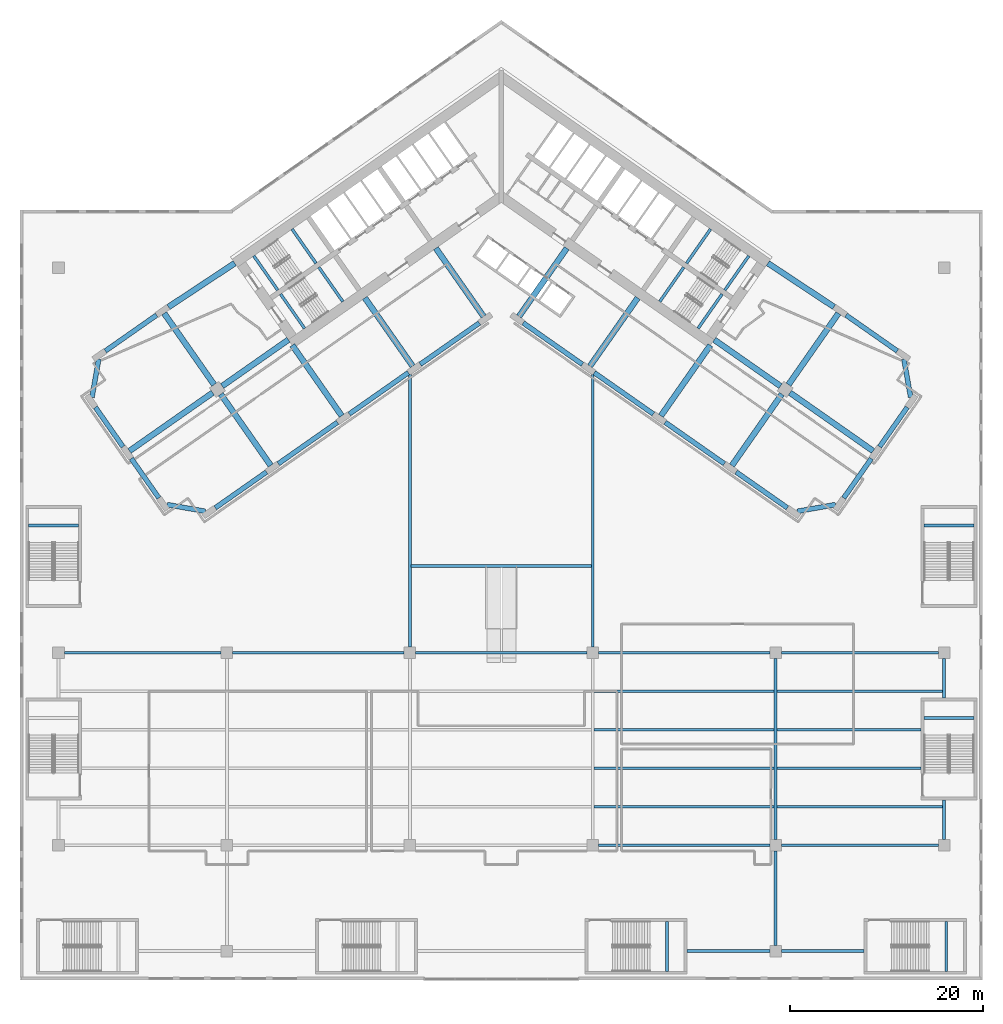
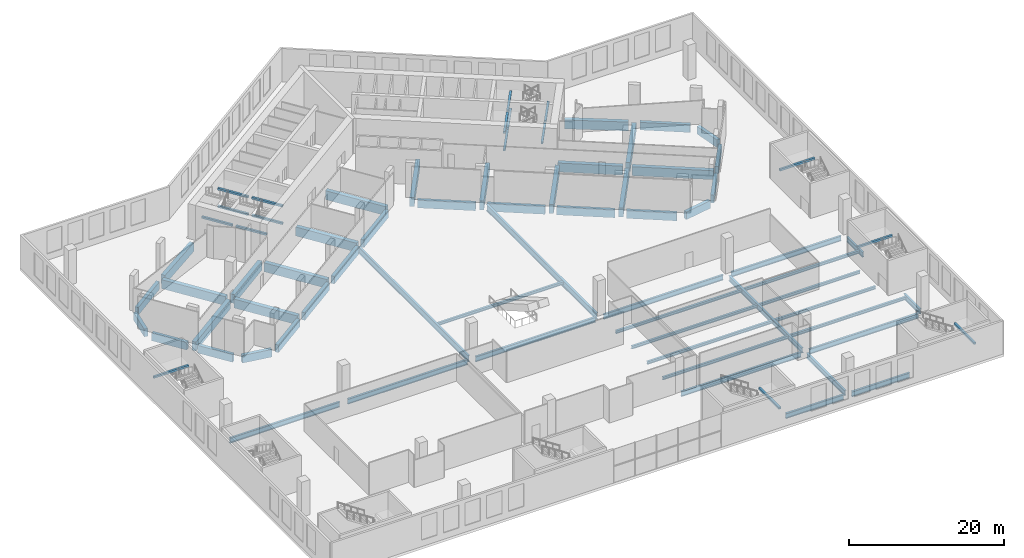
# One storey, part 3 of 26: 75 beams.
"""IFC4 building model written with IfcOpenShell, lengths in metres."""

from ifc_helpers import new_model, si_unit, direction, frame, origin, origin_2d, place, context, subcontext, project, spatial, rectangle, i_section, extrude, material, material_profile, profile_set, type_object, element, save


model = new_model("IFC4")

# Units and contexts
model_context = context("Model", 3, precision=1e-05, world=origin(), true_north=direction((0.0, 1.0)))
body_context = subcontext(model_context, "Body", "Model", "MODEL_VIEW")
ifc_project = project(units=[si_unit("LENGTHUNIT", "METRE"), si_unit("AREAUNIT", "SQUARE_METRE"), si_unit("VOLUMEUNIT", "CUBIC_METRE"), si_unit("PLANEANGLEUNIT", "RADIAN"), si_unit("MASSUNIT", "GRAM", prefix="KILO")], contexts=[model_context])

# Site, building, storey
site_placement = place(None, origin())
site = spatial("IfcSite", under=ifc_project, at=site_placement, CompositionType="ELEMENT")
building_placement = place(site_placement, origin())
building = spatial("IfcBuilding", under=site, at=building_placement, Name="Tel Ilan Convention Tower", CompositionType="ELEMENT")
storey_placement = place(building_placement, frame((0.0, 0.0, 37.5)))
storey = spatial("IfcBuildingStorey", under=building, at=storey_placement, Name="L05", CompositionType="ELEMENT", Elevation=37.5)

# Beams
ifc_material_1 = material(Name="Concrete C40/50", Category="concrete")
ifc_material_profile_1 = material_profile(ifc_material_1, rectangle(XDim=0.5, YDim=1.199951171875, at=origin_2d()), Name="RC 500x1200")
ifc_profile_set_1 = profile_set([ifc_material_profile_1], Name="Concrete C40/50")
beam_type_1 = type_object("IfcBeamType", Name="Beam RC 500x1200 Concrete C40/50", PredefinedType="BEAM", material=ifc_profile_set_1)
beam_1_placement = place(storey_placement, frame((-2.279541015625, -13.742919921875, -1.0), z_axis=(-0.819147803225, -0.57358249317, 0.0), x_axis=(0.57358249317, -0.819147803225, 0.0)))
element("IfcBeam", 1, at=beam_1_placement, inside=storey, type_object=beam_type_1, Name="L05 beam W-W-F1-W-F2", PredefinedType="BEAM", context=body_context, shape_type="SweptSolid", body=[
    extrude(rectangle(XDim=0.5, YDim=1.199951171875, at=origin_2d()), origin(), (0.0, 0.0, 1.0), 7.500244140625),
])
for number, where, z_axis, x_axis, name in (
    (2, (-9.652099609375, -18.905029296875, -1.0), (-0.81915238829, -0.573575945067, 0.0), (0.573575945067, -0.81915238829, 0.0), "L05 beam W-W-F2-W-F3"),
    (3, (-17.0244140625, -24.0673828125, -1.0), (-0.81915238829, -0.573575945067, 0.0), (0.573575945067, -0.81915238829, 0.0), "L05 beam W-W-F3-W-F4"),
):
    element("IfcBeam", number, at=place(storey_placement, frame(where, z_axis=z_axis, x_axis=x_axis)), inside=storey, type_object=beam_type_1, Name=name, PredefinedType="BEAM", context=body_context, shape_type="SweptSolid", body=[
        extrude(rectangle(XDim=0.5, YDim=1.199951171875, at=origin_2d()), origin(), (0.0, 0.0, 1.0), 7.5),
    ])
beam_2_placement = place(storey_placement, frame((-24.396728515625, -29.2294921875, -1.0), z_axis=(-0.819148977158, -0.573580816643, 0.0), x_axis=(0.573580816643, -0.819148977158, 0.0)))
element("IfcBeam", 4, at=beam_2_placement, inside=storey, type_object=beam_type_1, Name="L05 beam W-W-F4-W-FC", PredefinedType="BEAM", context=body_context, shape_type="SweptSolid", body=[
    extrude(rectangle(XDim=0.5, YDim=1.199951171875, at=origin_2d()), origin(), (0.0, 0.0, 1.0), 6.5),
])
beam_3_placement = place(storey_placement, frame((-30.75341796875, -33.314208984375, -1.0), z_axis=(-0.984815252405, 0.173605641124, 0.0), x_axis=(-0.173605641124, -0.984815252405, 0.0)))
element("IfcBeam", 5, at=beam_3_placement, inside=storey, type_object=beam_type_1, Name="L05 beam W-W-FC-W-E1", PredefinedType="BEAM", context=body_context, shape_type="SweptSolid", body=[
    extrude(rectangle(XDim=0.5, YDim=1.199951171875, at=origin_2d()), origin(), (0.0, 0.0, 1.0), 4.030517578125),
])
for number, where, z_axis, x_axis, name in (
    (6, (-35.57080078125, -31.92626953125, -1.0), (-0.573586866468, 0.819144740944, 0.0), (-0.819144740944, -0.573586866468, 0.0), "L05 beam W-W-E1-W-E2"),
    (7, (-39.298828125, -26.601806640625, -1.0), (-0.573586866468, 0.819144740944, 0.0), (-0.819144740944, -0.573586866468, 0.0), "L05 beam W-W-E2-W-E3"),
):
    element("IfcBeam", number, at=place(storey_placement, frame(where, z_axis=z_axis, x_axis=x_axis)), inside=storey, type_object=beam_type_1, Name=name, PredefinedType="BEAM", context=body_context, shape_type="SweptSolid", body=[
        extrude(rectangle(XDim=0.5, YDim=1.199951171875, at=origin_2d()), origin(), (0.0, 0.0, 1.0), 5.0),
    ])
beam_4_placement = place(storey_placement, frame((-42.523193359375, -21.473876953125, -1.0), z_axis=(0.173605641124, 0.984815252405, 0.0), x_axis=(-0.984815252405, 0.173605641124, 0.0)))
element("IfcBeam", 8, at=beam_4_placement, inside=storey, type_object=beam_type_1, Name="L05 beam W-W-E3-W-BC", PredefinedType="BEAM", context=body_context, shape_type="SweptSolid", body=[
    extrude(rectangle(XDim=0.5, YDim=1.199951171875, at=origin_2d()), origin(), (0.0, 0.0, 1.0), 4.030517578125),
])
beam_5_placement = place(storey_placement, frame((-41.135498046875, -16.656494140625, -1.0), z_axis=(0.819178980414, 0.573537965655, 0.0), x_axis=(-0.573537965655, 0.819178980414, 0.0)))
element("IfcBeam", 9, at=beam_5_placement, inside=storey, type_object=beam_type_1, Name="L05 beam W-W-BC-W-B4", PredefinedType="BEAM", context=body_context, shape_type="SweptSolid", body=[
    extrude(rectangle(XDim=0.5, YDim=1.199951171875, at=origin_2d()), origin(), (0.0, 0.0, 1.0), 6.5),
])
beam_6_placement = place(storey_placement, frame((2.279541015625, -13.742919921875, -1.0), z_axis=(0.819147803225, -0.57358249317, 0.0), x_axis=(0.57358249317, 0.819147803225, 0.0)))
element("IfcBeam", 10, at=beam_6_placement, inside=storey, type_object=beam_type_1, Name="L05 beam E-E-F1-E-F2", PredefinedType="BEAM", context=body_context, shape_type="SweptSolid", body=[
    extrude(rectangle(XDim=0.5, YDim=1.199951171875, at=origin_2d()), origin(), (0.0, 0.0, 1.0), 7.500244140625),
])
for number, where, z_axis, x_axis, name in (
    (11, (9.652099609375, -18.905029296875, -1.0), (0.81915238829, -0.573575945067, 0.0), (0.573575945067, 0.81915238829, 0.0), "L05 beam E-E-F2-E-F3"),
    (12, (17.0244140625, -24.0673828125, -1.0), (0.81915238829, -0.573575945067, 0.0), (0.573575945067, 0.81915238829, 0.0), "L05 beam E-E-F3-E-F4"),
):
    element("IfcBeam", number, at=place(storey_placement, frame(where, z_axis=z_axis, x_axis=x_axis)), inside=storey, type_object=beam_type_1, Name=name, PredefinedType="BEAM", context=body_context, shape_type="SweptSolid", body=[
        extrude(rectangle(XDim=0.5, YDim=1.199951171875, at=origin_2d()), origin(), (0.0, 0.0, 1.0), 7.5),
    ])
beam_7_placement = place(storey_placement, frame((24.396728515625, -29.2294921875, -1.0), z_axis=(0.819148977158, -0.573580816643, 0.0), x_axis=(0.573580816643, 0.819148977158, 0.0)))
element("IfcBeam", 13, at=beam_7_placement, inside=storey, type_object=beam_type_1, Name="L05 beam E-E-F4-E-FC", PredefinedType="BEAM", context=body_context, shape_type="SweptSolid", body=[
    extrude(rectangle(XDim=0.5, YDim=1.199951171875, at=origin_2d()), origin(), (0.0, 0.0, 1.0), 6.5),
])
beam_8_placement = place(storey_placement, frame((30.75341796875, -33.314208984375, -1.0), z_axis=(0.984815252405, 0.173605641124, 0.0), x_axis=(-0.173605641124, 0.984815252405, 0.0)))
element("IfcBeam", 14, at=beam_8_placement, inside=storey, type_object=beam_type_1, Name="L05 beam E-E-FC-E-E1", PredefinedType="BEAM", context=body_context, shape_type="SweptSolid", body=[
    extrude(rectangle(XDim=0.5, YDim=1.199951171875, at=origin_2d()), origin(), (0.0, 0.0, 1.0), 4.030517578125),
])
for number, where, z_axis, x_axis, name in (
    (15, (35.57080078125, -31.92626953125, -1.0), (0.573586866468, 0.819144740944, 0.0), (-0.819144740944, 0.573586866468, 0.0), "L05 beam E-E-E1-E-E2"),
    (16, (39.298828125, -26.601806640625, -1.0), (0.573586866468, 0.819144740944, 0.0), (-0.819144740944, 0.573586866468, 0.0), "L05 beam E-E-E2-E-E3"),
):
    element("IfcBeam", number, at=place(storey_placement, frame(where, z_axis=z_axis, x_axis=x_axis)), inside=storey, type_object=beam_type_1, Name=name, PredefinedType="BEAM", context=body_context, shape_type="SweptSolid", body=[
        extrude(rectangle(XDim=0.5, YDim=1.199951171875, at=origin_2d()), origin(), (0.0, 0.0, 1.0), 5.0),
    ])
beam_9_placement = place(storey_placement, frame((42.523193359375, -21.473876953125, -1.0), z_axis=(-0.173605641124, 0.984815252405, 0.0), x_axis=(-0.984815252405, -0.173605641124, 0.0)))
element("IfcBeam", 17, at=beam_9_placement, inside=storey, type_object=beam_type_1, Name="L05 beam E-E-E3-E-BC", PredefinedType="BEAM", context=body_context, shape_type="SweptSolid", body=[
    extrude(rectangle(XDim=0.5, YDim=1.199951171875, at=origin_2d()), origin(), (0.0, 0.0, 1.0), 4.030517578125),
])
beam_10_placement = place(storey_placement, frame((41.135498046875, -16.656494140625, -1.0), z_axis=(-0.819178980414, 0.573537965655, 0.0), x_axis=(-0.573537965655, -0.819178980414, 0.0)))
element("IfcBeam", 18, at=beam_10_placement, inside=storey, type_object=beam_type_1, Name="L05 beam E-E-BC-E-B4", PredefinedType="BEAM", context=body_context, shape_type="SweptSolid", body=[
    extrude(rectangle(XDim=0.5, YDim=1.199951171875, at=origin_2d()), origin(), (0.0, 0.0, 1.0), 6.5),
])
ifc_material_2 = material(Name="Concrete C40/50", Category="concrete")
ifc_material_profile_2 = material_profile(ifc_material_2, rectangle(XDim=0.60009765625, YDim=1.39990234375, at=origin_2d()), Name="RC 600x1400")
ifc_profile_set_2 = profile_set([ifc_material_profile_2], Name="Concrete C40/50")
beam_type_2 = type_object("IfcBeamType", Name="Beam RC 600x1400 Concrete C40/50", PredefinedType="BEAM", material=ifc_profile_set_2)
beam_11_placement = place(storey_placement, frame((-34.570556640625, -12.08447265625, -1.10009765625), z_axis=(0.834273603487, 0.551350663847, 0.0), x_axis=(-0.551350663847, 0.834273603487, 0.0)))
element("IfcBeam", 19, at=beam_11_placement, inside=storey, type_object=beam_type_2, Name="L05 beam W-W-B4-core", PredefinedType="BEAM", context=body_context, shape_type="SweptSolid", body=[
    extrude(rectangle(XDim=0.60009765625, YDim=1.39990234375, at=origin_2d()), origin(), (0.0, 0.0, 1.0), 8.2529296875),
])
for number, where, z_axis, x_axis, name in (
    (20, (-1.83740234375, -13.06689453125, -1.10009765625), (-0.573574099654, 0.819153680457, 0.0), (-0.819153680457, -0.573574099654, 0.0), "L05 beam W-W-F1-core"),
    (21, (-9.209716796875, -18.229248046875, -1.10009765625), (-0.573574099654, 0.819153680457, 0.0), (-0.819153680457, -0.573574099654, 0.0), "L05 beam W-W-F2-core"),
):
    element("IfcBeam", number, at=place(storey_placement, frame(where, z_axis=z_axis, x_axis=x_axis)), inside=storey, type_object=beam_type_2, Name=name, PredefinedType="BEAM", context=body_context, shape_type="SweptSolid", body=[
        extrude(rectangle(XDim=0.60009765625, YDim=1.39990234375, at=origin_2d()), origin(), (0.0, 0.0, 1.0), 8.64990234375),
    ])
beam_12_placement = place(storey_placement, frame((-16.58203125, -23.391357421875, -1.10009765625), z_axis=(-0.573584999642, 0.819146048141, 0.0), x_axis=(-0.819146048141, -0.573584999642, 0.0)))
element("IfcBeam", 22, at=beam_12_placement, inside=storey, type_object=beam_type_2, Name="L05 beam W-W-F3-core", PredefinedType="BEAM", context=body_context, shape_type="SweptSolid", body=[
    extrude(rectangle(XDim=0.60009765625, YDim=1.39990234375, at=origin_2d()), origin(), (0.0, 0.0, 1.0), 8.949951171875),
])
beam_13_placement = place(storey_placement, frame((-22.1171875, -15.486572265625, -1.10009765625), z_axis=(-0.819147254605, -0.573583276668, 0.0), x_axis=(0.573583276668, -0.819147254605, 0.0)))
element("IfcBeam", 23, at=beam_13_placement, inside=storey, type_object=beam_type_2, Name="L05 beam W-core-W-M4", PredefinedType="BEAM", context=body_context, shape_type="SweptSolid", body=[
    extrude(rectangle(XDim=0.60009765625, YDim=1.39990234375, at=origin_2d()), origin(), (0.0, 0.0, 1.0), 8.400146484375),
])
beam_14_placement = place(storey_placement, frame((-29.98095703125, -20.992919921875, -1.10009765625), z_axis=(-0.819151461915, -0.573577268067, 0.0), x_axis=(0.573577268067, -0.819151461915, 0.0)))
element("IfcBeam", 24, at=beam_14_placement, inside=storey, type_object=beam_type_2, Name="L05 beam W-W-M4-end", PredefinedType="BEAM", context=body_context, shape_type="SweptSolid", body=[
    extrude(rectangle(XDim=0.60009765625, YDim=1.39990234375, at=origin_2d()), origin(), (0.0, 0.0, 1.0), 10.550048828125),
])
for number, where, z_axis, x_axis, name in (
    (25, (-29.145263671875, -21.14013671875, -1.10009765625), (0.573549245583, -0.819171082798, 0.0), (0.819171082798, 0.573549245583, 0.0), "L05 beam W-W-M4-W-F4"),
    (26, (-29.83349609375, -20.1572265625, -1.10009765625), (-0.57358002233, 0.819149533348, 0.0), (-0.819149533348, -0.57358002233, 0.0), "L05 beam W-W-M4-W-B4"),
):
    element("IfcBeam", number, at=place(storey_placement, frame(where, z_axis=z_axis, x_axis=x_axis)), inside=storey, type_object=beam_type_2, Name=name, PredefinedType="BEAM", context=body_context, shape_type="SweptSolid", body=[
        extrude(rectangle(XDim=0.60009765625, YDim=1.39990234375, at=origin_2d()), origin(), (0.0, 0.0, 1.0), 9.050048828125),
    ])
beam_15_placement = place(storey_placement, frame((34.570556640625, -12.08447265625, -1.10009765625), z_axis=(-0.834273603487, 0.551350663847, 0.0), x_axis=(-0.551350663847, -0.834273603487, 0.0)))
element("IfcBeam", 27, at=beam_15_placement, inside=storey, type_object=beam_type_2, Name="L05 beam E-E-B4-core", PredefinedType="BEAM", context=body_context, shape_type="SweptSolid", body=[
    extrude(rectangle(XDim=0.60009765625, YDim=1.39990234375, at=origin_2d()), origin(), (0.0, 0.0, 1.0), 8.2529296875),
])
for number, where, z_axis, x_axis, name in (
    (28, (1.83740234375, -13.06689453125, -1.10009765625), (0.573574099654, 0.819153680457, 0.0), (-0.819153680457, 0.573574099654, 0.0), "L05 beam E-E-F1-core"),
    (29, (9.209716796875, -18.229248046875, -1.10009765625), (0.573574099654, 0.819153680457, 0.0), (-0.819153680457, 0.573574099654, 0.0), "L05 beam E-E-F2-core"),
):
    element("IfcBeam", number, at=place(storey_placement, frame(where, z_axis=z_axis, x_axis=x_axis)), inside=storey, type_object=beam_type_2, Name=name, PredefinedType="BEAM", context=body_context, shape_type="SweptSolid", body=[
        extrude(rectangle(XDim=0.60009765625, YDim=1.39990234375, at=origin_2d()), origin(), (0.0, 0.0, 1.0), 8.64990234375),
    ])
beam_16_placement = place(storey_placement, frame((16.58203125, -23.391357421875, -1.10009765625), z_axis=(0.573584999642, 0.819146048141, 0.0), x_axis=(-0.819146048141, 0.573584999642, 0.0)))
element("IfcBeam", 30, at=beam_16_placement, inside=storey, type_object=beam_type_2, Name="L05 beam E-E-F3-core", PredefinedType="BEAM", context=body_context, shape_type="SweptSolid", body=[
    extrude(rectangle(XDim=0.60009765625, YDim=1.39990234375, at=origin_2d()), origin(), (0.0, 0.0, 1.0), 8.949951171875),
])
beam_17_placement = place(storey_placement, frame((22.1171875, -15.486572265625, -1.10009765625), z_axis=(0.819147254605, -0.573583276668, 0.0), x_axis=(0.573583276668, 0.819147254605, 0.0)))
element("IfcBeam", 31, at=beam_17_placement, inside=storey, type_object=beam_type_2, Name="L05 beam E-core-E-M4", PredefinedType="BEAM", context=body_context, shape_type="SweptSolid", body=[
    extrude(rectangle(XDim=0.60009765625, YDim=1.39990234375, at=origin_2d()), origin(), (0.0, 0.0, 1.0), 8.400146484375),
])
beam_18_placement = place(storey_placement, frame((29.98095703125, -20.992919921875, -1.10009765625), z_axis=(0.819151461915, -0.573577268067, 0.0), x_axis=(0.573577268067, 0.819151461915, 0.0)))
element("IfcBeam", 32, at=beam_18_placement, inside=storey, type_object=beam_type_2, Name="L05 beam E-E-M4-end", PredefinedType="BEAM", context=body_context, shape_type="SweptSolid", body=[
    extrude(rectangle(XDim=0.60009765625, YDim=1.39990234375, at=origin_2d()), origin(), (0.0, 0.0, 1.0), 10.550048828125),
])
for number, where, z_axis, x_axis, name in (
    (33, (29.145263671875, -21.14013671875, -1.10009765625), (-0.573549245583, -0.819171082798, 0.0), (0.819171082798, -0.573549245583, 0.0), "L05 beam E-E-M4-E-F4"),
    (34, (29.83349609375, -20.1572265625, -1.10009765625), (0.57358002233, 0.819149533348, 0.0), (-0.819149533348, 0.57358002233, 0.0), "L05 beam E-E-M4-E-B4"),
):
    element("IfcBeam", number, at=place(storey_placement, frame(where, z_axis=z_axis, x_axis=x_axis)), inside=storey, type_object=beam_type_2, Name=name, PredefinedType="BEAM", context=body_context, shape_type="SweptSolid", body=[
        extrude(rectangle(XDim=0.60009765625, YDim=1.39990234375, at=origin_2d()), origin(), (0.0, 0.0, 1.0), 9.050048828125),
    ])
ifc_material_3 = material(Name="Steel S355", Category="steel")
ifc_material_profile_3 = material_profile(ifc_material_3, i_section(OverallWidth=0.300048828125, OverallDepth=1.0, WebThickness=0.01904296875, FlangeThickness=0.035888671875, FilletRadius=0.030029296875, at=origin_2d()), Name="HEB 1000")
ifc_profile_set_3 = profile_set([ifc_material_profile_3], Name="Steel S355")
beam_type_3 = type_object("IfcBeamType", Name="Girder HEB 1000 Steel S355", PredefinedType="BEAM", material=ifc_profile_set_3)
for number, where, z_axis, x_axis, name in (
    (35, (-9.5, -47.39990234375, -0.89990234375), (0.0, 1.0, 0.0), (-1.0, 0.0, 0.0), "L05 beam GN1"),
    (36, (9.5, -47.39990234375, -0.89990234375), (0.0, 1.0, 0.0), (-1.0, 0.0, 0.0), "L05 beam GN2"),
):
    element("IfcBeam", number, at=place(storey_placement, frame(where, z_axis=z_axis, x_axis=x_axis)), inside=storey, type_object=beam_type_3, Name=name, PredefinedType="BEAM", context=body_context, shape_type="SweptSolid", body=[
        extrude(i_section(OverallWidth=0.300048828125, OverallDepth=1.0, WebThickness=0.01904296875, FlangeThickness=0.035888671875, FilletRadius=0.030029296875, at=origin_2d()), origin(), (0.0, 0.0, 1.0), 28.277587890625),
    ])
ifc_material_4 = material(Name="Steel S355", Category="steel")
ifc_material_profile_4 = material_profile(ifc_material_4, i_section(OverallWidth=0.300048828125, OverallDepth=0.800048828125, WebThickness=0.017578125, FlangeThickness=0.032958984375, FilletRadius=0.030029296875, at=origin_2d()), Name="HEB 800")
ifc_profile_set_4 = profile_set([ifc_material_profile_4], Name="Steel S355")
beam_type_4 = type_object("IfcBeamType", Name="Girder HEB 800 Steel S355", PredefinedType="BEAM", material=ifc_profile_set_4)
beam_19_placement = place(storey_placement, frame((10.10009765625, -68.0, -0.800048828125), z_axis=(1.0, 0.0, 0.0), x_axis=(0.0, 1.0, 0.0)))
element("IfcBeam", 37, at=beam_19_placement, inside=storey, type_object=beam_type_4, Name="L05 beam GX24-5", PredefinedType="BEAM", context=body_context, shape_type="SweptSolid", body=[
    extrude(i_section(OverallWidth=0.300048828125, OverallDepth=0.800048828125, WebThickness=0.017578125, FlangeThickness=0.032958984375, FilletRadius=0.030029296875, at=origin_2d()), origin(), (0.0, 0.0, 1.0), 17.7998046875),
])
for number, where, z_axis, x_axis, name in (
    (38, (29.10009765625, -68.0, -0.800048828125), (1.0, 0.0, 0.0), (0.0, 1.0, 0.0), "L05 beam GX25-6"),
    (39, (-45.39990234375, -48.0, -0.800048828125), (1.0, 0.0, 0.0), (0.0, 1.0, 0.0), "L05 beam GX31-2"),
):
    element("IfcBeam", number, at=place(storey_placement, frame(where, z_axis=z_axis, x_axis=x_axis)), inside=storey, type_object=beam_type_4, Name=name, PredefinedType="BEAM", context=body_context, shape_type="SweptSolid", body=[
        extrude(i_section(OverallWidth=0.300048828125, OverallDepth=0.800048828125, WebThickness=0.017578125, FlangeThickness=0.032958984375, FilletRadius=0.030029296875, at=origin_2d()), origin(), (0.0, 0.0, 1.0), 16.2998046875),
    ])
for number, where, z_axis, x_axis, name in (
    (40, (-27.89990234375, -48.0, -0.800048828125), (1.0, 0.0, 0.0), (0.0, 1.0, 0.0), "L05 beam GX32-3"),
    (41, (-8.89990234375, -48.0, -0.800048828125), (1.0, 0.0, 0.0), (0.0, 1.0, 0.0), "L05 beam GX33-4"),
    (42, (10.10009765625, -48.0, -0.800048828125), (1.0, 0.0, 0.0), (0.0, 1.0, 0.0), "L05 beam GX34-5"),
):
    element("IfcBeam", number, at=place(storey_placement, frame(where, z_axis=z_axis, x_axis=x_axis)), inside=storey, type_object=beam_type_4, Name=name, PredefinedType="BEAM", context=body_context, shape_type="SweptSolid", body=[
        extrude(i_section(OverallWidth=0.300048828125, OverallDepth=0.800048828125, WebThickness=0.017578125, FlangeThickness=0.032958984375, FilletRadius=0.030029296875, at=origin_2d()), origin(), (0.0, 0.0, 1.0), 17.7998046875),
    ])
beam_20_placement = place(storey_placement, frame((29.10009765625, -48.0, -0.800048828125), z_axis=(1.0, 0.0, 0.0), x_axis=(0.0, 1.0, 0.0)))
element("IfcBeam", 43, at=beam_20_placement, inside=storey, type_object=beam_type_4, Name="L05 beam GX35-6", PredefinedType="BEAM", context=body_context, shape_type="SweptSolid", body=[
    extrude(i_section(OverallWidth=0.300048828125, OverallDepth=0.800048828125, WebThickness=0.017578125, FlangeThickness=0.032958984375, FilletRadius=0.030029296875, at=origin_2d()), origin(), (0.0, 0.0, 1.0), 16.2998046875),
])
beam_21_placement = place(storey_placement, frame((28.5, -78.39990234375, -0.800048828125), z_axis=(0.0, 1.0, 0.0), x_axis=(-1.0, 0.0, 0.0)))
element("IfcBeam", 44, at=beam_21_placement, inside=storey, type_object=beam_type_4, Name="L05 beam GY51-2", PredefinedType="BEAM", context=body_context, shape_type="SweptSolid", body=[
    extrude(i_section(OverallWidth=0.300048828125, OverallDepth=0.800048828125, WebThickness=0.017578125, FlangeThickness=0.032958984375, FilletRadius=0.030029296875, at=origin_2d()), origin(), (0.0, 0.0, 1.0), 9.7998046875),
])
beam_22_placement = place(storey_placement, frame((28.5, -67.39990234375, -0.800048828125), z_axis=(0.0, 1.0, 0.0), x_axis=(-1.0, 0.0, 0.0)))
element("IfcBeam", 45, at=beam_22_placement, inside=storey, type_object=beam_type_4, Name="L05 beam GY52-3", PredefinedType="BEAM", context=body_context, shape_type="SweptSolid", body=[
    extrude(i_section(OverallWidth=0.300048828125, OverallDepth=0.800048828125, WebThickness=0.017578125, FlangeThickness=0.032958984375, FilletRadius=0.030029296875, at=origin_2d()), origin(), (0.0, 0.0, 1.0), 18.7998046875),
])
for number, where, z_axis, x_axis, name in (
    (46, (46.0, -67.39990234375, -0.800048828125), (0.0, 1.0, 0.0), (-1.0, 0.0, 0.0), "L05 beam GY62-3"),
    (47, (46.0, -52.699951171875, -0.800048828125), (0.0, 1.0, 0.0), (-1.0, 0.0, 0.0), "L05 beam GY62-3"),
):
    element("IfcBeam", number, at=place(storey_placement, frame(where, z_axis=z_axis, x_axis=x_axis)), inside=storey, type_object=beam_type_4, Name=name, PredefinedType="BEAM", context=body_context, shape_type="SweptSolid", body=[
        extrude(i_section(OverallWidth=0.300048828125, OverallDepth=0.800048828125, WebThickness=0.017578125, FlangeThickness=0.032958984375, FilletRadius=0.030029296875, at=origin_2d()), origin(), (0.0, 0.0, 1.0), 4.099853515625),
    ])
for number, where, z_axis, x_axis, name in (
    (48, (19.300048828125, -79.0, -0.800048828125), (1.0, 0.0, 0.0), (0.0, 1.0, 0.0), "L05 beam GS22"),
    (49, (29.10009765625, -79.0, -0.800048828125), (1.0, 0.0, 0.0), (0.0, 1.0, 0.0), "L05 beam GS23"),
):
    element("IfcBeam", number, at=place(storey_placement, frame(where, z_axis=z_axis, x_axis=x_axis)), inside=storey, type_object=beam_type_4, Name=name, PredefinedType="BEAM", context=body_context, shape_type="SweptSolid", body=[
        extrude(i_section(OverallWidth=0.300048828125, OverallDepth=0.800048828125, WebThickness=0.017578125, FlangeThickness=0.032958984375, FilletRadius=0.030029296875, at=origin_2d()), origin(), (0.0, 0.0, 1.0), 8.599853515625),
    ])
ifc_material_5 = material(Name="Steel S355", Category="steel")
ifc_material_profile_5 = material_profile(ifc_material_5, i_section(OverallWidth=0.300048828125, OverallDepth=0.449951171875, WebThickness=0.013916015625, FlangeThickness=0.02587890625, FilletRadius=0.027099609375, at=origin_2d()), Name="HEB 450")
ifc_profile_set_5 = profile_set([ifc_material_profile_5], Name="Steel S355")
beam_type_5 = type_object("IfcBeamType", Name="Joist HEB 450 Steel S355", PredefinedType="JOIST", material=ifc_profile_set_5)
for number, where, z_axis, x_axis, name in (
    (50, (9.639892578125, -64.0, -0.625), (1.0, 0.0, 0.0), (0.0, 1.0, 0.0), "L05 beam J4--68-1"),
    (51, (9.639892578125, -60.0, -0.625), (1.0, 0.0, 0.0), (0.0, 1.0, 0.0), "L05 beam J4--68-2"),
    (52, (9.639892578125, -56.0, -0.625), (1.0, 0.0, 0.0), (0.0, 1.0, 0.0), "L05 beam J4--68-3"),
    (53, (9.639892578125, -52.0, -0.625), (1.0, 0.0, 0.0), (0.0, 1.0, 0.0), "L05 beam J4--68-4"),
):
    element("IfcBeam", number, at=place(storey_placement, frame(where, z_axis=z_axis, x_axis=x_axis)), inside=storey, type_object=beam_type_5, Name=name, PredefinedType="JOIST", context=body_context, shape_type="SweptSolid", body=[
        extrude(i_section(OverallWidth=0.300048828125, OverallDepth=0.449951171875, WebThickness=0.013916015625, FlangeThickness=0.02587890625, FilletRadius=0.027099609375, at=origin_2d()), origin(), (0.0, 0.0, 1.0), 18.72021484375),
    ])
beam_23_placement = place(storey_placement, frame((28.639892578125, -64.0, -0.625), z_axis=(1.0, 0.0, 0.0), x_axis=(0.0, 1.0, 0.0)))
element("IfcBeam", 54, at=beam_23_placement, inside=storey, type_object=beam_type_5, Name="L05 beam J5--68-1", PredefinedType="JOIST", context=body_context, shape_type="SweptSolid", body=[
    extrude(i_section(OverallWidth=0.300048828125, OverallDepth=0.449951171875, WebThickness=0.013916015625, FlangeThickness=0.02587890625, FilletRadius=0.027099609375, at=origin_2d()), origin(), (0.0, 0.0, 1.0), 17.22021484375),
])
for number, where, z_axis, x_axis, name in (
    (55, (28.639892578125, -60.0, -0.625), (1.0, 0.0, 0.0), (0.0, 1.0, 0.0), "L05 beam J5--68-2"),
    (56, (28.639892578125, -56.0, -0.625), (1.0, 0.0, 0.0), (0.0, 1.0, 0.0), "L05 beam J5--68-3"),
):
    element("IfcBeam", number, at=place(storey_placement, frame(where, z_axis=z_axis, x_axis=x_axis)), inside=storey, type_object=beam_type_5, Name=name, PredefinedType="JOIST", context=body_context, shape_type="SweptSolid", body=[
        extrude(i_section(OverallWidth=0.300048828125, OverallDepth=0.449951171875, WebThickness=0.013916015625, FlangeThickness=0.02587890625, FilletRadius=0.027099609375, at=origin_2d()), origin(), (0.0, 0.0, 1.0), 14.960205078125),
    ])
beam_24_placement = place(storey_placement, frame((28.639892578125, -52.0, -0.625), z_axis=(1.0, 0.0, 0.0), x_axis=(0.0, 1.0, 0.0)))
element("IfcBeam", 57, at=beam_24_placement, inside=storey, type_object=beam_type_5, Name="L05 beam J5--68-4", PredefinedType="JOIST", context=body_context, shape_type="SweptSolid", body=[
    extrude(i_section(OverallWidth=0.300048828125, OverallDepth=0.449951171875, WebThickness=0.013916015625, FlangeThickness=0.02587890625, FilletRadius=0.027099609375, at=origin_2d()), origin(), (0.0, 0.0, 1.0), 17.22021484375),
])
beam_25_placement = place(storey_placement, frame((-9.360107421875, -39.010009765625, -0.625), z_axis=(1.0, 0.0, 0.0), x_axis=(0.0, 1.0, 0.0)))
element("IfcBeam", 58, at=beam_25_placement, inside=storey, type_object=beam_type_5, Name="L05 beam TE5", PredefinedType="JOIST", context=body_context, shape_type="SweptSolid", body=[
    extrude(i_section(OverallWidth=0.300048828125, OverallDepth=0.449951171875, WebThickness=0.013916015625, FlangeThickness=0.02587890625, FilletRadius=0.027099609375, at=origin_2d()), origin(), (0.0, 0.0, 1.0), 18.72021484375),
])
ifc_material_6 = material(Name="Concrete C40/50", Category="concrete")
ifc_material_profile_6 = material_profile(ifc_material_6, rectangle(XDim=0.300048828125, YDim=0.300048828125, at=origin_2d()), Name="RC 300x300")
ifc_profile_set_6 = profile_set([ifc_material_profile_6], Name="Concrete C40/50")
beam_type_6 = type_object("IfcBeamType", Name="Landing Beam RC 300x300 Concrete C40/50", PredefinedType="BEAM", material=ifc_profile_set_6)
beam_26_placement = place(storey_placement, frame((-19.242919921875, -7.553466796875, 1.02490234375), z_axis=(-0.57356780395, 0.819158088694, 0.0), x_axis=(-0.819158088694, -0.57356780395, 0.0)))
element("IfcBeam", 59, at=beam_26_placement, inside=storey, type_object=beam_type_6, Name="S1 landing beam L05.1", PredefinedType="BEAM", context=body_context, shape_type="SweptSolid", body=[
    extrude(rectangle(XDim=0.300048828125, YDim=0.300048828125, at=origin_2d()), origin(), (0.0, 0.0, 1.0), 4.35009765625),
])
beam_27_placement = place(storey_placement, frame((-23.219482421875, -10.337646484375, 2.39990234375), z_axis=(-0.573556512523, 0.819165994742, 0.0), x_axis=(-0.819165994742, -0.573556512523, 0.0)))
element("IfcBeam", 60, at=beam_27_placement, inside=storey, type_object=beam_type_6, Name="S1 landing beam L05.2", PredefinedType="BEAM", context=body_context, shape_type="SweptSolid", body=[
    extrude(rectangle(XDim=0.300048828125, YDim=0.300048828125, at=origin_2d()), origin(), (0.0, 0.0, 1.0), 4.349853515625),
])
beam_28_placement = place(storey_placement, frame((-19.242919921875, -7.553466796875, 3.77490234375), z_axis=(-0.57356780395, 0.819158088694, 0.0), x_axis=(-0.819158088694, -0.57356780395, 0.0)))
element("IfcBeam", 61, at=beam_28_placement, inside=storey, type_object=beam_type_6, Name="S1 landing beam L05.3", PredefinedType="BEAM", context=body_context, shape_type="SweptSolid", body=[
    extrude(rectangle(XDim=0.300048828125, YDim=0.300048828125, at=origin_2d()), origin(), (0.0, 0.0, 1.0), 4.35009765625),
])
for number, where, z_axis, x_axis, name in (
    (62, (-16.461181640625, -11.526123046875, 1.02490234375), (-0.573594173421, 0.819139624372, 0.0), (-0.819139624372, -0.573594173421, 0.0), "S2 landing beam L05.1"),
    (63, (-20.4375, -14.310546875, 2.39990234375), (-0.573594173421, 0.819139624372, 0.0), (-0.819139624372, -0.573594173421, 0.0), "S2 landing beam L05.2"),
    (64, (-16.461181640625, -11.526123046875, 3.77490234375), (-0.573594173421, 0.819139624372, 0.0), (-0.819139624372, -0.573594173421, 0.0), "S2 landing beam L05.3"),
):
    element("IfcBeam", number, at=place(storey_placement, frame(where, z_axis=z_axis, x_axis=x_axis)), inside=storey, type_object=beam_type_6, Name=name, PredefinedType="BEAM", context=body_context, shape_type="SweptSolid", body=[
        extrude(rectangle(XDim=0.300048828125, YDim=0.300048828125, at=origin_2d()), origin(), (0.0, 0.0, 1.0), 4.349853515625),
    ])
beam_29_placement = place(storey_placement, frame((21.738037109375, -3.989990234375, 1.02490234375), z_axis=(-0.57356780395, -0.819158088694, 0.0), x_axis=(0.819158088694, -0.57356780395, 0.0)))
element("IfcBeam", 65, at=beam_29_placement, inside=storey, type_object=beam_type_6, Name="S3 landing beam L05.1", PredefinedType="BEAM", context=body_context, shape_type="SweptSolid", body=[
    extrude(rectangle(XDim=0.300048828125, YDim=0.300048828125, at=origin_2d()), origin(), (0.0, 0.0, 1.0), 4.35009765625),
])
beam_30_placement = place(storey_placement, frame((25.71435546875, -6.7744140625, 2.39990234375), z_axis=(-0.573556512523, -0.819165994742, 0.0), x_axis=(0.819165994742, -0.573556512523, 0.0)))
element("IfcBeam", 66, at=beam_30_placement, inside=storey, type_object=beam_type_6, Name="S3 landing beam L05.2", PredefinedType="BEAM", context=body_context, shape_type="SweptSolid", body=[
    extrude(rectangle(XDim=0.300048828125, YDim=0.300048828125, at=origin_2d()), origin(), (0.0, 0.0, 1.0), 4.349853515625),
])
beam_31_placement = place(storey_placement, frame((21.738037109375, -3.989990234375, 3.77490234375), z_axis=(-0.57356780395, -0.819158088694, 0.0), x_axis=(0.819158088694, -0.57356780395, 0.0)))
element("IfcBeam", 67, at=beam_31_placement, inside=storey, type_object=beam_type_6, Name="S3 landing beam L05.3", PredefinedType="BEAM", context=body_context, shape_type="SweptSolid", body=[
    extrude(rectangle(XDim=0.300048828125, YDim=0.300048828125, at=origin_2d()), origin(), (0.0, 0.0, 1.0), 4.35009765625),
])
for number, where, z_axis, x_axis, name in (
    (68, (18.956298828125, -7.962890625, 1.02490234375), (-0.573594173421, -0.819139624372, 0.0), (0.819139624372, -0.573594173421, 0.0), "S4 landing beam L05.1"),
    (69, (22.9326171875, -10.747314453125, 2.39990234375), (-0.573594173421, -0.819139624372, 0.0), (0.819139624372, -0.573594173421, 0.0), "S4 landing beam L05.2"),
    (70, (18.956298828125, -7.962890625, 3.77490234375), (-0.573594173421, -0.819139624372, 0.0), (0.819139624372, -0.573594173421, 0.0), "S4 landing beam L05.3"),
):
    element("IfcBeam", number, at=place(storey_placement, frame(where, z_axis=z_axis, x_axis=x_axis)), inside=storey, type_object=beam_type_6, Name=name, PredefinedType="BEAM", context=body_context, shape_type="SweptSolid", body=[
        extrude(rectangle(XDim=0.300048828125, YDim=0.300048828125, at=origin_2d()), origin(), (0.0, 0.0, 1.0), 4.349853515625),
    ])
for number, where, z_axis, x_axis, name in (
    (71, (17.22216796875, -81.10009765625, 2.39990234375), (0.0, 1.0, 0.0), (-1.0, 0.0, 0.0), "P3 landing beam L05.1"),
    (72, (46.22216796875, -81.10009765625, 2.39990234375), (0.0, 1.0, 0.0), (-1.0, 0.0, 0.0), "P4 landing beam L05.1"),
    (73, (49.10009765625, -54.77783203125, 2.39990234375), (-1.0, 0.0, 0.0), (0.0, -1.0, 0.0), "P6 landing beam L05.1"),
    (74, (-43.89990234375, -34.77783203125, 2.39990234375), (-1.0, 0.0, 0.0), (0.0, -1.0, 0.0), "P7 landing beam L05.1"),
    (75, (49.10009765625, -34.77783203125, 2.39990234375), (-1.0, 0.0, 0.0), (0.0, -1.0, 0.0), "P8 landing beam L05.1"),
):
    element("IfcBeam", number, at=place(storey_placement, frame(where, z_axis=z_axis, x_axis=x_axis)), inside=storey, type_object=beam_type_6, Name=name, PredefinedType="BEAM", context=body_context, shape_type="SweptSolid", body=[
        extrude(rectangle(XDim=0.300048828125, YDim=0.300048828125, at=origin_2d()), origin(), (0.0, 0.0, 1.0), 5.2001953125),
    ])

save(model, "model.ifc")
